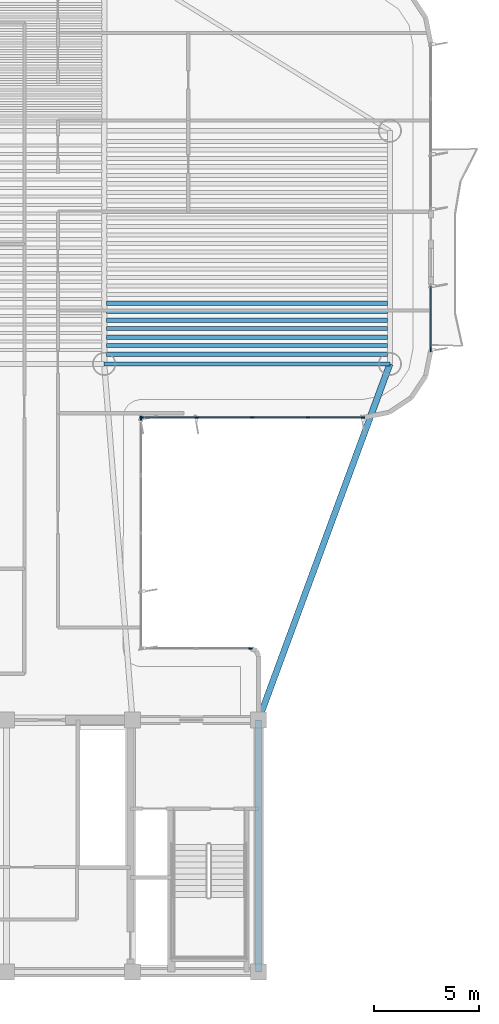
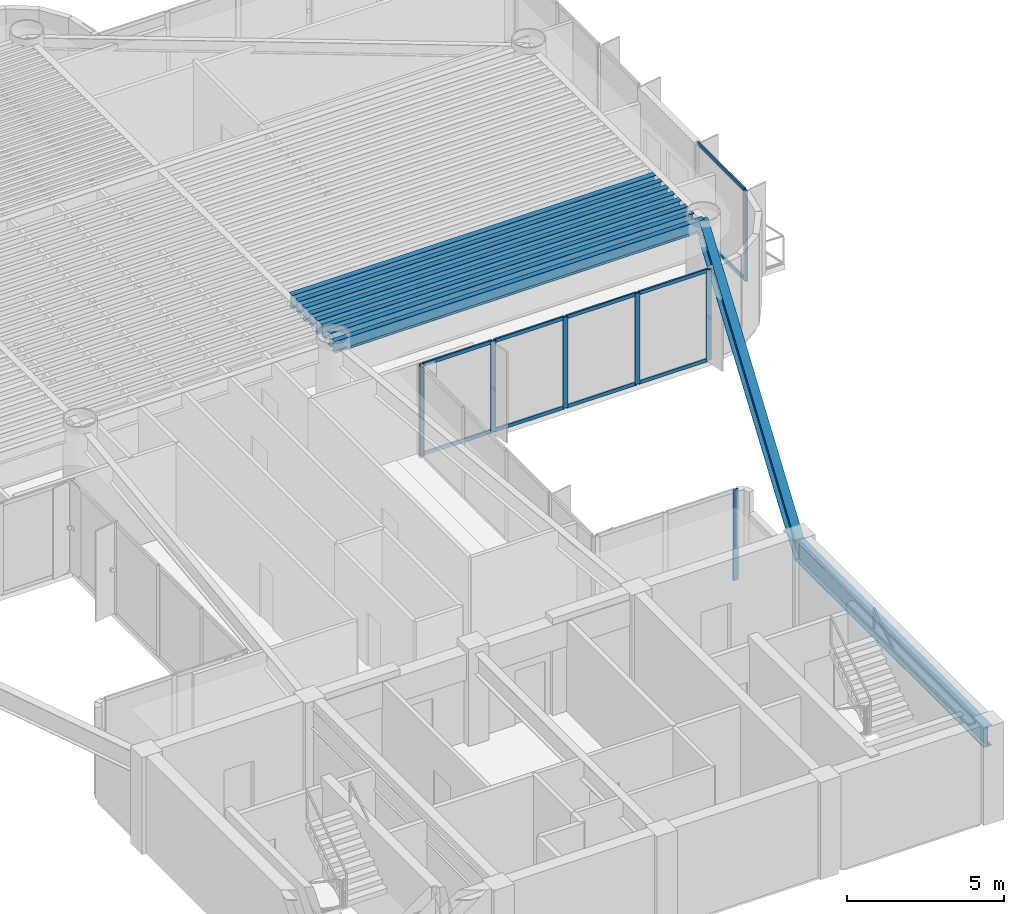
# One storey, part 4 of 14: 18 members, 10 beams, 4 elements without a shape of their own.
"""IFC4 building model written with IfcOpenShell, lengths in metres."""

from ifc_helpers import new_model, si_unit, direction, frame, origin, origin_2d, place, context, subcontext, project, spatial, rectangle, i_section, extrude, source, transform, mapped, material, layer, layer_set, material_profile, profile_set, type_object, element, aggregate, save


model = new_model("IFC4")

# Units and contexts
model_context = context("Model", 3, precision=1e-05, world=origin(), true_north=direction((0.0, 1.0)))
body_context = subcontext(model_context, "Body", "Model", "MODEL_VIEW")
ifc_project = project(units=[si_unit("LENGTHUNIT", "METRE"), si_unit("AREAUNIT", "SQUARE_METRE"), si_unit("VOLUMEUNIT", "CUBIC_METRE"), si_unit("PLANEANGLEUNIT", "RADIAN"), si_unit("MASSUNIT", "GRAM", prefix="KILO")], contexts=[model_context])

# Site, building, storey
site_placement = place(None, origin())
site = spatial("IfcSite", under=ifc_project, at=site_placement, CompositionType="ELEMENT")
building_placement = place(site_placement, origin())
building = spatial("IfcBuilding", under=site, at=building_placement, Name="Brelvock Crest Care Tower", CompositionType="ELEMENT")
storey_placement = place(building_placement, frame((0.0, 0.0, 198.0)))
storey = spatial("IfcBuildingStorey", under=building, at=storey_placement, Name="L50", CompositionType="ELEMENT", Elevation=198.0)

# Beams
ifc_material_1 = material(Name="Steel Grade 350", Category="steel")
ifc_material_profile_1 = material_profile(ifc_material_1, i_section(OverallWidth=0.300048828125, OverallDepth=0.800048828125, WebThickness=0.013916015625, FlangeThickness=0.02197265625, at=origin_2d()), Name="800WB192")
ifc_profile_set_1 = profile_set([ifc_material_profile_1], Name="Steel Grade 350")
beam_type_1 = type_object("IfcBeamType", Name="BM-G5", PredefinedType="BEAM", material=ifc_profile_set_1)
shared_shape_1 = source(origin(), body_context, "Body", "SweptSolid", [
    extrude(i_section(OverallWidth=0.300048828125, OverallDepth=0.800048828125, WebThickness=0.013916015625, FlangeThickness=0.02197265625, at=origin_2d()), origin(), (0.0, 0.0, 1.0), 12.0),
])
beam_1_placement = place(storey_placement, frame((48.0, 6.0, 3.1298828125), z_axis=(0.0, 1.0, 0.0), x_axis=(-1.0, 0.0, 0.0)))
element("IfcBeam", 1, at=beam_1_placement, inside=storey, type_object=beam_type_1, Name="BM-COREX-L50-5", PredefinedType="BEAM", context=body_context, shape_type="MappedRepresentation", body=[
    mapped(shared_shape_1, transform((0.0, 0.0, 0.0), x_axis=(1.0, 0.0, 0.0), y_axis=(0.0, 1.0, 0.0), z_axis=(0.0, 0.0, 1.0), scale=1.0)),
])
ifc_material_profile_2 = material_profile(ifc_material_1, i_section(OverallWidth=0.208984375, OverallDepth=0.532958984375, WebThickness=0.01025390625, FlangeThickness=0.015625, FilletRadius=0.013916015625, at=origin_2d()), Name="530UB92.4")
ifc_profile_set_2 = profile_set([ifc_material_profile_2], Name="Steel Grade 350")
beam_type_2 = type_object("IfcBeamType", Name="BM-G2", PredefinedType="BEAM", material=ifc_profile_set_2)
shared_shape_2 = source(origin(), body_context, "Body", "SweptSolid", [
    extrude(i_section(OverallWidth=0.208984375, OverallDepth=0.532958984375, WebThickness=0.01025390625, FlangeThickness=0.015625, FilletRadius=0.013916015625, at=origin_2d()), origin(), (0.0, 0.0, 1.0), 13.3701171875),
])
for number, where, z_axis, x_axis, name in (
    (2, (40.764892578125, 35.416259765625, 3.263427734375), (1.0, 0.0, 0.0), (0.0, 1.0, 0.0), "BM-JE-L50-1"),
    (3, (40.764892578125, 36.2265625, 3.263427734375), (1.0, 0.0, 0.0), (0.0, 1.0, 0.0), "BM-JE-L50-3"),
    (4, (40.764892578125, 37.036865234375, 3.263427734375), (1.0, 0.0, 0.0), (0.0, 1.0, 0.0), "BM-JE-L50-5"),
    (5, (40.764892578125, 37.84716796875, 3.263427734375), (1.0, 0.0, 0.0), (0.0, 1.0, 0.0), "BM-JE-L50-7"),
):
    element("IfcBeam", number, at=place(storey_placement, frame(where, z_axis=z_axis, x_axis=x_axis)), inside=storey, type_object=beam_type_2, Name=name, PredefinedType="BEAM", context=body_context, shape_type="MappedRepresentation", body=[
        mapped(shared_shape_2, transform((0.0, 0.0, 0.0), x_axis=(1.0, 0.0, 0.0), y_axis=(0.0, 1.0, 0.0), z_axis=(0.0, 0.0, 1.0), scale=1.0)),
    ])
ifc_material_profile_3 = material_profile(ifc_material_1, i_section(OverallWidth=0.19091796875, OverallDepth=0.4599609375, WebThickness=0.010009765625, FlangeThickness=0.01611328125, FilletRadius=0.011474609375, at=origin_2d()), Name="460UB82.1")
ifc_profile_set_3 = profile_set([ifc_material_profile_3], Name="Steel Grade 350")
beam_type_3 = type_object("IfcBeamType", Name="BM-G3", PredefinedType="BEAM", material=ifc_profile_set_3)
shared_shape_3 = source(origin(), body_context, "Body", "SweptSolid", [
    extrude(i_section(OverallWidth=0.19091796875, OverallDepth=0.4599609375, WebThickness=0.010009765625, FlangeThickness=0.01611328125, FilletRadius=0.011474609375, at=origin_2d()), origin(), (0.0, 0.0, 1.0), 13.3701171875),
])
for number, where, z_axis, x_axis, name in (
    (6, (40.764892578125, 35.8212890625, 3.300048828125), (1.0, 0.0, 0.0), (0.0, 1.0, 0.0), "BM-JE-L50-2"),
    (7, (40.764892578125, 36.631591796875, 3.300048828125), (1.0, 0.0, 0.0), (0.0, 1.0, 0.0), "BM-JE-L50-4"),
    (8, (40.764892578125, 37.44189453125, 3.300048828125), (1.0, 0.0, 0.0), (0.0, 1.0, 0.0), "BM-JE-L50-6"),
):
    element("IfcBeam", number, at=place(storey_placement, frame(where, z_axis=z_axis, x_axis=x_axis)), inside=storey, type_object=beam_type_3, Name=name, PredefinedType="BEAM", context=body_context, shape_type="MappedRepresentation", body=[
        mapped(shared_shape_3, transform((0.0, 0.0, 0.0), x_axis=(1.0, 0.0, 0.0), y_axis=(0.0, 1.0, 0.0), z_axis=(0.0, 0.0, 1.0), scale=1.0)),
    ])
ifc_material_profile_4 = material_profile(ifc_material_1, i_section(OverallWidth=0.19091796875, OverallDepth=0.4599609375, WebThickness=0.010009765625, FlangeThickness=0.01611328125, FilletRadius=0.011474609375, at=origin_2d()), Name="460UB82.1")
ifc_profile_set_4 = profile_set([ifc_material_profile_4], Name="Steel Grade 350")
beam_type_4 = type_object("IfcBeamType", Name="BM-SP2", PredefinedType="SPANDREL", material=ifc_profile_set_4)
shared_shape_4 = source(origin(), body_context, "Body", "SweptSolid", [
    extrude(i_section(OverallWidth=0.19091796875, OverallDepth=0.4599609375, WebThickness=0.010009765625, FlangeThickness=0.01611328125, FilletRadius=0.011474609375, at=origin_2d()), origin(), (0.0, 0.0, 1.0), 13.60009765625),
])
beam_2_placement = place(storey_placement, frame((40.64990234375, 34.949951171875, 3.300048828125), z_axis=(1.0, 0.0, 0.0), x_axis=(0.0, 1.0, 0.0)))
element("IfcBeam", 9, at=beam_2_placement, inside=storey, type_object=beam_type_4, Name="BM-TWR-L50-04", PredefinedType="SPANDREL", context=body_context, shape_type="MappedRepresentation", body=[
    mapped(shared_shape_4, transform((0.0, 0.0, 0.0), x_axis=(1.0, 0.0, 0.0), y_axis=(0.0, 1.0, 0.0), z_axis=(0.0, 0.0, 1.0), scale=1.0)),
])
shared_shape_5 = source(origin(), body_context, "Body", "SweptSolid", [
    extrude(i_section(OverallWidth=0.300048828125, OverallDepth=0.800048828125, WebThickness=0.013916015625, FlangeThickness=0.02197265625, at=origin_2d()), origin(), (0.0, 0.0, 1.0), 18.0654296875),
])
beam_3_placement = place(storey_placement, frame((48.0, 18.0, 3.1298828125), z_axis=(0.345962741309, 0.938248251597, 0.0), x_axis=(-0.938248251597, 0.345962741309, 0.0)))
element("IfcBeam", 10, at=beam_3_placement, inside=storey, type_object=beam_type_1, Name="BM-THRO-E-L50", PredefinedType="BEAM", context=body_context, shape_type="MappedRepresentation", body=[
    mapped(shared_shape_5, transform((0.0, 0.0, 0.0), x_axis=(1.0, 0.0, 0.0), y_axis=(0.0, 1.0, 0.0), z_axis=(0.0, 0.0, 1.0), scale=1.0)),
])

# Curtain wall, member
ifc_material_2 = material(Name="Dark Glass Double Glazed Low-E", Category="glass")
ifc_layer = layer(ifc_material_2, 0.22509765625, Name="CWS-4")
ifc_layer_set = layer_set([ifc_layer], Name="Dark Glass Double Glazed Low-E")
curtain_wall_type = type_object("IfcCurtainWallType", Name="CWS-4", PredefinedType="NOTDEFINED", material=ifc_layer_set)
curtain_wall_1_placement = place(storey_placement, origin())
curtain_wall_1 = element("IfcCurtainWall", 11, at=curtain_wall_1_placement, inside=storey, type_object=curtain_wall_type, Name="L50 Curtain Wall E39B", PredefinedType="NOTDEFINED")
ifc_material_3 = material(Name="Aluminium 6063-T6", Category="aluminium")
ifc_material_profile_5 = material_profile(ifc_material_3, rectangle(XDim=0.06005859375, YDim=0.179931640625, at=origin_2d()), Name="ALU60x180")
ifc_profile_set_5 = profile_set([ifc_material_profile_5], Name="Aluminium 6063-T6")
member_type_1 = type_object("IfcMemberType", Name="CWM-2", PredefinedType="MULLION", material=ifc_profile_set_5)
shared_shape_6 = source(origin(), body_context, "Body", "SweptSolid", [
    extrude(rectangle(XDim=0.06005859375, YDim=0.179931640625, at=origin_2d()), origin(), (0.0, 0.0, 1.0), 3.530029296875),
])
member_1_placement = place(storey_placement, frame((56.199951171875, 35.6298828125, 0.0), z_axis=(0.0, 0.0, 1.0), x_axis=(1.0, 0.0, 0.0)))
member_1 = element("IfcMember", 12, at=member_1_placement, type_object=member_type_1, Name="CW-4 mullion 2", PredefinedType="MULLION", context=body_context, shape_type="MappedRepresentation", body=[
    mapped(shared_shape_6, transform((0.0, 0.0, 0.0), x_axis=(1.0, 0.0, 0.0), y_axis=(0.0, 1.0, 0.0), z_axis=(0.0, 0.0, 1.0), scale=1.0)),
])

# Curtain wall, members
curtain_wall_2_placement = place(storey_placement, origin())
curtain_wall_2 = element("IfcCurtainWall", 13, at=curtain_wall_2_placement, inside=storey, type_object=curtain_wall_type, Name="L50 Curtain Wall E44", PredefinedType="NOTDEFINED")
member_2_placement = place(storey_placement, frame((52.969970703125, 32.39990234375, 0.0), z_axis=(0.0, 0.0, 1.0), x_axis=(0.0, -1.0, 0.0)))
member_2 = element("IfcMember", 14, at=member_2_placement, type_object=member_type_1, Name="CW-4 mullion 1", PredefinedType="MULLION", context=body_context, shape_type="MappedRepresentation", body=[
    mapped(shared_shape_6, transform((0.0, 0.0, 0.0), x_axis=(1.0, 0.0, 0.0), y_axis=(0.0, 1.0, 0.0), z_axis=(0.0, 0.0, 1.0), scale=1.0)),
])
member_3_placement = place(storey_placement, frame((50.35009765625, 32.39990234375, 0.0), z_axis=(0.0, 0.0, 1.0), x_axis=(0.0, -1.0, 0.0)))
member_3 = element("IfcMember", 15, at=member_3_placement, type_object=member_type_1, Name="CW-4 mullion 2", PredefinedType="MULLION", context=body_context, shape_type="MappedRepresentation", body=[
    mapped(shared_shape_6, transform((0.0, 0.0, 0.0), x_axis=(1.0, 0.0, 0.0), y_axis=(0.0, 1.0, 0.0), z_axis=(0.0, 0.0, 1.0), scale=1.0)),
])
member_4_placement = place(storey_placement, frame((47.699951171875, 32.39990234375, 0.0), z_axis=(0.0, 0.0, 1.0), x_axis=(0.0, -1.0, 0.0)))
member_4 = element("IfcMember", 16, at=member_4_placement, type_object=member_type_1, Name="CW-4 mullion 3", PredefinedType="MULLION", context=body_context, shape_type="MappedRepresentation", body=[
    mapped(shared_shape_6, transform((0.0, 0.0, 0.0), x_axis=(1.0, 0.0, 0.0), y_axis=(0.0, 1.0, 0.0), z_axis=(0.0, 0.0, 1.0), scale=1.0)),
])
member_5_placement = place(storey_placement, frame((45.050048828125, 32.39990234375, 0.0), z_axis=(0.0, 0.0, 1.0), x_axis=(0.0, -1.0, 0.0)))
member_5 = element("IfcMember", 17, at=member_5_placement, type_object=member_type_1, Name="CW-4 mullion 4", PredefinedType="MULLION", context=body_context, shape_type="MappedRepresentation", body=[
    mapped(shared_shape_6, transform((0.0, 0.0, 0.0), x_axis=(1.0, 0.0, 0.0), y_axis=(0.0, 1.0, 0.0), z_axis=(0.0, 0.0, 1.0), scale=1.0)),
])
member_6_placement = place(storey_placement, frame((42.429931640625, 32.39990234375, 0.0), z_axis=(0.0, 0.0, 1.0), x_axis=(0.0, -1.0, 0.0)))
member_6 = element("IfcMember", 18, at=member_6_placement, type_object=member_type_1, Name="CW-4 mullion 5", PredefinedType="MULLION", context=body_context, shape_type="MappedRepresentation", body=[
    mapped(shared_shape_6, transform((0.0, 0.0, 0.0), x_axis=(1.0, 0.0, 0.0), y_axis=(0.0, 1.0, 0.0), z_axis=(0.0, 0.0, 1.0), scale=1.0)),
])

# Curtain wall, member
curtain_wall_3_placement = place(storey_placement, origin())
curtain_wall_3 = element("IfcCurtainWall", 19, at=curtain_wall_3_placement, inside=storey, type_object=curtain_wall_type, Name="L50 Curtain Wall E45", PredefinedType="NOTDEFINED")
member_7_placement = place(storey_placement, frame((42.39990234375, 32.3701171875, 0.0), z_axis=(0.0, 0.0, 1.0), x_axis=(1.0, 0.0, 0.0)))
member_7 = element("IfcMember", 20, at=member_7_placement, type_object=member_type_1, Name="CW-4 mullion 1", PredefinedType="MULLION", context=body_context, shape_type="MappedRepresentation", body=[
    mapped(shared_shape_6, transform((0.0, 0.0, 0.0), x_axis=(1.0, 0.0, 0.0), y_axis=(0.0, 1.0, 0.0), z_axis=(0.0, 0.0, 1.0), scale=1.0)),
])
aggregate(curtain_wall_3, [member_7])

curtain_wall_4_placement = place(storey_placement, origin())
curtain_wall_4 = element("IfcCurtainWall", 21, at=curtain_wall_4_placement, inside=storey, type_object=curtain_wall_type, Name="L50 Curtain Wall E46", PredefinedType="NOTDEFINED")
member_8_placement = place(storey_placement, frame((47.6201171875, 21.39990234375, 0.0), z_axis=(0.0, 0.0, 1.0), x_axis=(0.0, 1.0, 0.0)))
member_8 = element("IfcMember", 22, at=member_8_placement, type_object=member_type_1, Name="CW-4 mullion 3", PredefinedType="MULLION", context=body_context, shape_type="MappedRepresentation", body=[
    mapped(shared_shape_6, transform((0.0, 0.0, 0.0), x_axis=(1.0, 0.0, 0.0), y_axis=(0.0, 1.0, 0.0), z_axis=(0.0, 0.0, 1.0), scale=1.0)),
])
aggregate(curtain_wall_4, [member_8])

# Member
ifc_material_profile_6 = material_profile(ifc_material_3, rectangle(XDim=0.06005859375, YDim=0.139892578125, at=origin_2d()), Name="ALU60x140")
ifc_profile_set_6 = profile_set([ifc_material_profile_6], Name="Aluminium 6063-T6")
member_type_2 = type_object("IfcMemberType", Name="CWT-2", PredefinedType="USERDEFINED", material=ifc_profile_set_6)
shared_shape_7 = source(origin(), body_context, "Body", "SweptSolid", [
    extrude(rectangle(XDim=0.06005859375, YDim=0.139892578125, at=origin_2d()), origin(), (0.0, 0.0, 1.0), 2.56005859375),
])
member_9_placement = place(storey_placement, frame((52.93994140625, 32.39990234375, 0.030029296875), z_axis=(-1.0, 0.0, 0.0), x_axis=(0.0, -1.0, 0.0)))
member_9 = element("IfcMember", 23, at=member_9_placement, type_object=member_type_2, Name="CW-4 transom 1.1", ObjectType="TRANSOM", PredefinedType="USERDEFINED", context=body_context, shape_type="MappedRepresentation", body=[
    mapped(shared_shape_7, transform((0.0, 0.0, 0.0), x_axis=(1.0, 0.0, 0.0), y_axis=(0.0, 1.0, 0.0), z_axis=(0.0, 0.0, 1.0), scale=1.0)),
])

member_10_placement = place(storey_placement, frame((52.93994140625, 32.39990234375, 3.5), z_axis=(-1.0, 0.0, 0.0), x_axis=(0.0, -1.0, 0.0)))
member_10 = element("IfcMember", 24, at=member_10_placement, type_object=member_type_2, Name="CW-4 transom 1.2", ObjectType="TRANSOM", PredefinedType="USERDEFINED", context=body_context, shape_type="MappedRepresentation", body=[
    mapped(shared_shape_7, transform((0.0, 0.0, 0.0), x_axis=(1.0, 0.0, 0.0), y_axis=(0.0, 1.0, 0.0), z_axis=(0.0, 0.0, 1.0), scale=1.0)),
])

member_11_placement = place(storey_placement, frame((45.02001953125, 32.39990234375, 0.030029296875), z_axis=(-1.0, 0.0, 0.0), x_axis=(0.0, -1.0, 0.0)))
member_11 = element("IfcMember", 25, at=member_11_placement, type_object=member_type_2, Name="CW-4 transom 4.1", ObjectType="TRANSOM", PredefinedType="USERDEFINED", context=body_context, shape_type="MappedRepresentation", body=[
    mapped(shared_shape_7, transform((0.0, 0.0, 0.0), x_axis=(1.0, 0.0, 0.0), y_axis=(0.0, 1.0, 0.0), z_axis=(0.0, 0.0, 1.0), scale=1.0)),
])

member_12_placement = place(storey_placement, frame((45.02001953125, 32.39990234375, 3.5), z_axis=(-1.0, 0.0, 0.0), x_axis=(0.0, -1.0, 0.0)))
member_12 = element("IfcMember", 26, at=member_12_placement, type_object=member_type_2, Name="CW-4 transom 4.2", ObjectType="TRANSOM", PredefinedType="USERDEFINED", context=body_context, shape_type="MappedRepresentation", body=[
    mapped(shared_shape_7, transform((0.0, 0.0, 0.0), x_axis=(1.0, 0.0, 0.0), y_axis=(0.0, 1.0, 0.0), z_axis=(0.0, 0.0, 1.0), scale=1.0)),
])

shared_shape_8 = source(origin(), body_context, "Body", "SweptSolid", [
    extrude(rectangle(XDim=0.06005859375, YDim=0.139892578125, at=origin_2d()), origin(), (0.0, 0.0, 1.0), 2.58984375),
])
member_13_placement = place(storey_placement, frame((47.669921875, 32.39990234375, 0.030029296875), z_axis=(-1.0, 0.0, 0.0), x_axis=(0.0, -1.0, 0.0)))
member_13 = element("IfcMember", 27, at=member_13_placement, type_object=member_type_2, Name="CW-4 transom 3.1", ObjectType="TRANSOM", PredefinedType="USERDEFINED", context=body_context, shape_type="MappedRepresentation", body=[
    mapped(shared_shape_8, transform((0.0, 0.0, 0.0), x_axis=(1.0, 0.0, 0.0), y_axis=(0.0, 1.0, 0.0), z_axis=(0.0, 0.0, 1.0), scale=1.0)),
])

member_14_placement = place(storey_placement, frame((47.669921875, 32.39990234375, 3.5), z_axis=(-1.0, 0.0, 0.0), x_axis=(0.0, -1.0, 0.0)))
member_14 = element("IfcMember", 28, at=member_14_placement, type_object=member_type_2, Name="CW-4 transom 3.2", ObjectType="TRANSOM", PredefinedType="USERDEFINED", context=body_context, shape_type="MappedRepresentation", body=[
    mapped(shared_shape_8, transform((0.0, 0.0, 0.0), x_axis=(1.0, 0.0, 0.0), y_axis=(0.0, 1.0, 0.0), z_axis=(0.0, 0.0, 1.0), scale=1.0)),
])

shared_shape_9 = source(origin(), body_context, "Body", "SweptSolid", [
    extrude(rectangle(XDim=0.06005859375, YDim=0.139892578125, at=origin_2d()), origin(), (0.0, 0.0, 1.0), 2.590087890625),
])
member_15_placement = place(storey_placement, frame((50.320068359375, 32.39990234375, 0.030029296875), z_axis=(-1.0, 0.0, 0.0), x_axis=(0.0, -1.0, 0.0)))
member_15 = element("IfcMember", 29, at=member_15_placement, type_object=member_type_2, Name="CW-4 transom 2.1", ObjectType="TRANSOM", PredefinedType="USERDEFINED", context=body_context, shape_type="MappedRepresentation", body=[
    mapped(shared_shape_9, transform((0.0, 0.0, 0.0), x_axis=(1.0, 0.0, 0.0), y_axis=(0.0, 1.0, 0.0), z_axis=(0.0, 0.0, 1.0), scale=1.0)),
])

member_16_placement = place(storey_placement, frame((50.320068359375, 32.39990234375, 3.5), z_axis=(-1.0, 0.0, 0.0), x_axis=(0.0, -1.0, 0.0)))
member_16 = element("IfcMember", 30, at=member_16_placement, type_object=member_type_2, Name="CW-4 transom 2.2", ObjectType="TRANSOM", PredefinedType="USERDEFINED", context=body_context, shape_type="MappedRepresentation", body=[
    mapped(shared_shape_9, transform((0.0, 0.0, 0.0), x_axis=(1.0, 0.0, 0.0), y_axis=(0.0, 1.0, 0.0), z_axis=(0.0, 0.0, 1.0), scale=1.0)),
])

aggregate(curtain_wall_2, [member_2, member_3, member_4, member_5, member_6, member_9, member_10, member_15, member_16, member_13, member_14, member_11, member_12])

shared_shape_10 = source(origin(), body_context, "Body", "SweptSolid", [
    extrude(rectangle(XDim=0.06005859375, YDim=0.139892578125, at=origin_2d()), origin(), (0.0, 0.0, 1.0), 2.97998046875),
])
member_17_placement = place(storey_placement, frame((56.199951171875, 38.639892578125, 0.030029296875), z_axis=(0.0, -1.0, 0.0), x_axis=(1.0, 0.0, 0.0)))
member_17 = element("IfcMember", 31, at=member_17_placement, type_object=member_type_2, Name="CW-4 transom 1.1", ObjectType="TRANSOM", PredefinedType="USERDEFINED", context=body_context, shape_type="MappedRepresentation", body=[
    mapped(shared_shape_10, transform((0.0, 0.0, 0.0), x_axis=(1.0, 0.0, 0.0), y_axis=(0.0, 1.0, 0.0), z_axis=(0.0, 0.0, 1.0), scale=1.0)),
])

member_18_placement = place(storey_placement, frame((56.199951171875, 38.639892578125, 3.5), z_axis=(0.0, -1.0, 0.0), x_axis=(1.0, 0.0, 0.0)))
member_18 = element("IfcMember", 32, at=member_18_placement, type_object=member_type_2, Name="CW-4 transom 1.2", ObjectType="TRANSOM", PredefinedType="USERDEFINED", context=body_context, shape_type="MappedRepresentation", body=[
    mapped(shared_shape_10, transform((0.0, 0.0, 0.0), x_axis=(1.0, 0.0, 0.0), y_axis=(0.0, 1.0, 0.0), z_axis=(0.0, 0.0, 1.0), scale=1.0)),
])

aggregate(curtain_wall_1, [member_1, member_17, member_18])

save(model, "model.ifc")
